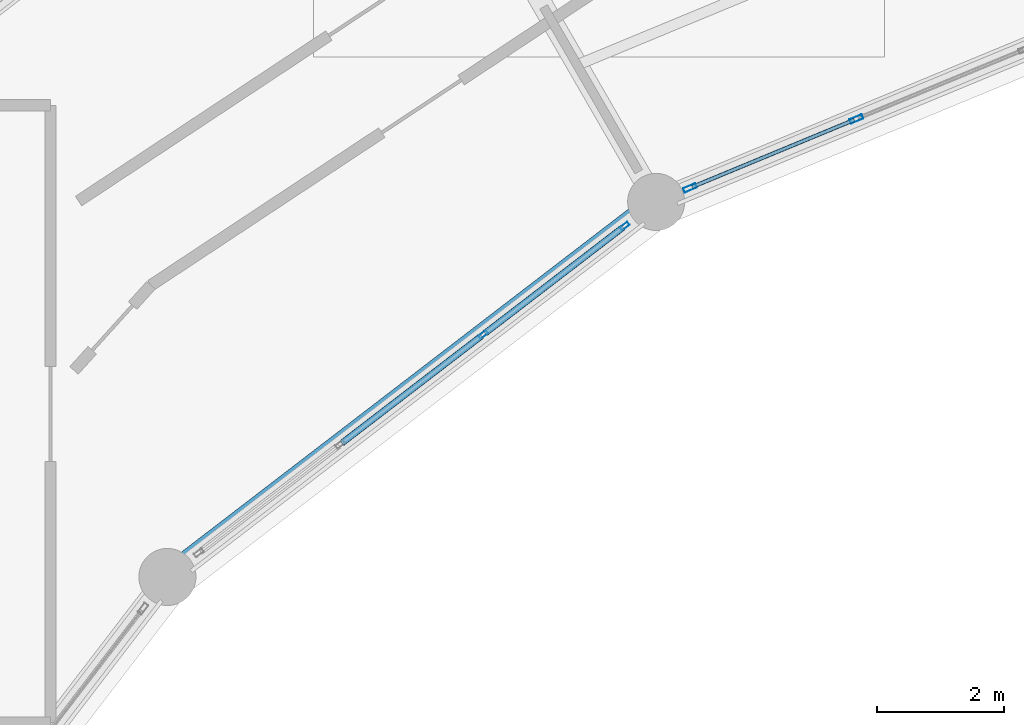
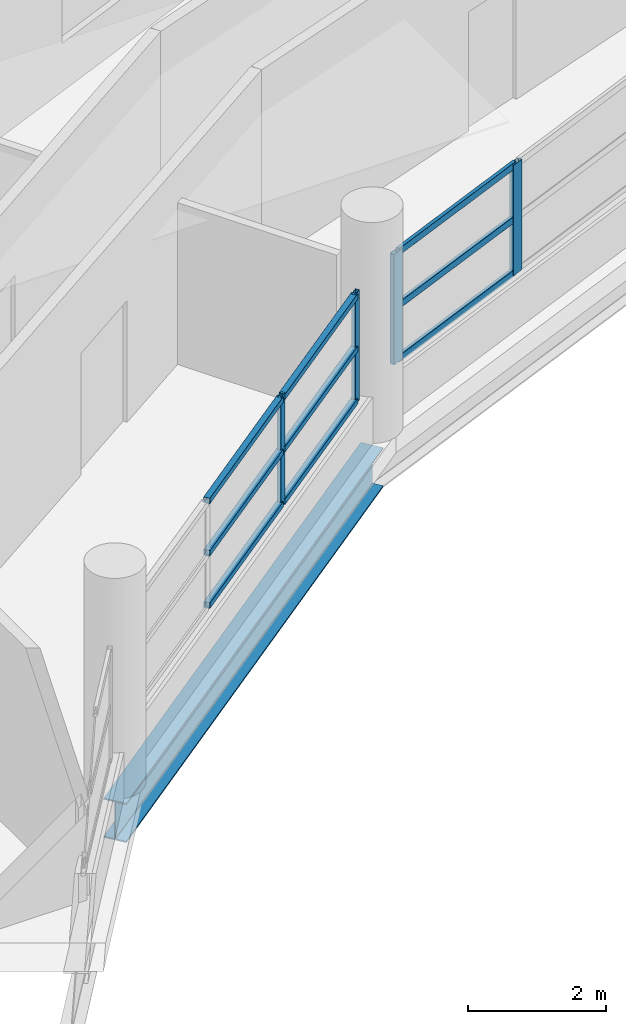
# One storey, part 44 of 121: 13 members, 1 beam, 2 elements without a shape of their own.
"""IFC4 building model written with IfcOpenShell, lengths in metres."""

from ifc_helpers import new_model, si_unit, direction, frame, origin, origin_2d, place, context, subcontext, project, spatial, hollow_rectangle, i_section, extrude, material, layer, layer_set, material_profile, profile_set, type_object, element, aggregate, save


model = new_model("IFC4")

# Units and contexts
model_context = context("Model", 3, precision=1e-05, world=origin(), true_north=direction((0.0, 1.0)))
body_context = subcontext(model_context, "Body", "Model", "MODEL_VIEW")
ifc_project = project(units=[si_unit("LENGTHUNIT", "METRE"), si_unit("AREAUNIT", "SQUARE_METRE"), si_unit("VOLUMEUNIT", "CUBIC_METRE"), si_unit("PLANEANGLEUNIT", "RADIAN"), si_unit("MASSUNIT", "GRAM", prefix="KILO")], contexts=[model_context])

# Site, building, storey
site_placement = place(None, origin())
site = spatial("IfcSite", under=ifc_project, at=site_placement, CompositionType="ELEMENT")
building_placement = place(site_placement, origin())
building = spatial("IfcBuilding", under=site, at=building_placement, Name="Vespera Passage Community Centre", CompositionType="ELEMENT")
storey_placement = place(building_placement, frame((0.0, 0.0, 8.699951171875)))
storey = spatial("IfcBuildingStorey", under=building, at=storey_placement, Name="L02", CompositionType="ELEMENT", Elevation=8.699951171875)

# Beam
ifc_material_1 = material(Name="Steel ASTM A992 Grade 50", Category="steel")
ifc_material_profile_1 = material_profile(ifc_material_1, i_section(OverallWidth=0.3544921875, OverallDepth=0.695556640625, WebThickness=0.015380859375, FlangeThickness=0.024658203125, FilletRadius=0.01513671875, at=origin_2d()), Name="W27X146")
ifc_profile_set_1 = profile_set([ifc_material_profile_1], Name="Steel ASTM A992 Grade 50")
beam_type = type_object("IfcBeamType", Name="BM-SP-W27X146E", PredefinedType="SPANDREL", material=ifc_profile_set_1)
beam_placement = place(storey_placement, frame((59.39990234375, 97.716064453125, -0.687744140625), z_axis=(-0.793359869694, -0.60875291963, 0.0), x_axis=(0.60875291963, -0.793359869694, 0.0)))
element("IfcBeam", 1, at=beam_placement, inside=storey, type_object=beam_type, Name="V4 L02 Inner Spandrel 8", PredefinedType="SPANDREL", context=body_context, shape_type="SweptSolid", body=[
    extrude(i_section(OverallWidth=0.3544921875, OverallDepth=0.695556640625, WebThickness=0.015380859375, FlangeThickness=0.024658203125, FilletRadius=0.01513671875, at=origin_2d()), origin(), (0.0, 0.0, 1.0), 9.7109375),
])

# Curtain wall, members
ifc_material_2 = material(Name="Anodized aluminium 6063-T6", Category="aluminium")
ifc_layer_1 = layer(ifc_material_2, 0.159912109375)
ifc_layer_set_1 = layer_set([ifc_layer_1], Name="Anodized aluminium 6063-T6")
curtain_wall_type_1 = type_object("IfcCurtainWallType", Name="CW-30E", PredefinedType="NOTDEFINED", material=ifc_layer_set_1)
curtain_wall_1_placement = place(storey_placement, origin())
curtain_wall_1 = element("IfcCurtainWall", 2, at=curtain_wall_1_placement, inside=storey, type_object=curtain_wall_type_1, Name="V4 L02 Inner Court Curtain Wall 8", PredefinedType="NOTDEFINED")
ifc_material_3 = material(Name="Anodized aluminium 6063-T6", Category="aluminium")
ifc_material_profile_2 = material_profile(ifc_material_3, hollow_rectangle(XDim=0.06494140625, YDim=0.14990234375, WallThickness=0.00390625, InnerFilletRadius=0.001953125, OuterFilletRadius=0.00390625, at=origin_2d()), Name="ALU150X65X4")
ifc_profile_set_2 = profile_set([ifc_material_profile_2], Name="Anodized aluminium 6063-T6")
member_type_1 = type_object("IfcMemberType", Name="MB-CWM-150E", PredefinedType="MULLION", material=ifc_profile_set_2)
member_1_placement = place(storey_placement, frame((58.903564453125, 97.335205078125, 0.820068359375), z_axis=(0.0, 0.0, 1.0), x_axis=(0.608755087843, -0.793358205999, 0.0)))
member_1 = element("IfcMember", 3, at=member_1_placement, type_object=member_type_1, Name="CW-30E mullion 1", PredefinedType="MULLION", context=body_context, shape_type="SweptSolid", body=[
    extrude(hollow_rectangle(XDim=0.06494140625, YDim=0.14990234375, WallThickness=0.00390625, InnerFilletRadius=0.001953125, OuterFilletRadius=0.00390625, at=origin_2d()), origin(), (0.0, 0.0, 1.0), 1.949462890625),
])
member_2_placement = place(storey_placement, frame((56.675048828125, 95.625244140625, 0.820068359375), z_axis=(0.0, 0.0, 1.0), x_axis=(0.608755087843, -0.793358205999, 0.0)))
member_2 = element("IfcMember", 4, at=member_2_placement, type_object=member_type_1, Name="CW-30E mullion 2", PredefinedType="MULLION", context=body_context, shape_type="SweptSolid", body=[
    extrude(hollow_rectangle(XDim=0.06494140625, YDim=0.14990234375, WallThickness=0.00390625, InnerFilletRadius=0.001953125, OuterFilletRadius=0.00390625, at=origin_2d()), origin(), (0.0, 0.0, 1.0), 1.949462890625),
])

ifc_material_4 = material(Name="Anodized aluminium 6063-T6", Category="aluminium")
ifc_layer_2 = layer(ifc_material_4, 0.159912109375)
ifc_layer_set_2 = layer_set([ifc_layer_2], Name="Anodized aluminium 6063-T6")
curtain_wall_type_2 = type_object("IfcCurtainWallType", Name="CW-25E", PredefinedType="NOTDEFINED", material=ifc_layer_set_2)
curtain_wall_2_placement = place(storey_placement, origin())
curtain_wall_2 = element("IfcCurtainWall", 5, at=curtain_wall_2_placement, inside=storey, type_object=curtain_wall_type_2, Name="V4 L02 Inner Court Curtain Wall 7", PredefinedType="NOTDEFINED")
ifc_material_5 = material(Name="Anodized aluminium 6063-T6", Category="aluminium")
ifc_material_profile_3 = material_profile(ifc_material_5, hollow_rectangle(XDim=0.074951171875, YDim=0.2099609375, WallThickness=0.0048828125, InnerFilletRadius=0.00244140625, OuterFilletRadius=0.0048828125, at=origin_2d()), Name="ALU210X75X5")
ifc_profile_set_3 = profile_set([ifc_material_profile_3], Name="Anodized aluminium 6063-T6")
member_type_2 = type_object("IfcMemberType", Name="MB-CWM-210E", PredefinedType="MULLION", material=ifc_profile_set_3)
member_3_placement = place(storey_placement, frame((62.556884765625, 99.023681640625, 0.820068359375), z_axis=(0.0, 0.0, 1.0), x_axis=(0.382690463482, -0.923876620096, 0.0)))
member_3 = element("IfcMember", 6, at=member_3_placement, type_object=member_type_2, Name="CW-25E mullion 3", PredefinedType="MULLION", context=body_context, shape_type="SweptSolid", body=[
    extrude(hollow_rectangle(XDim=0.074951171875, YDim=0.2099609375, WallThickness=0.0048828125, InnerFilletRadius=0.00244140625, OuterFilletRadius=0.0048828125, at=origin_2d()), origin(), (0.0, 0.0, 1.0), 1.949462890625),
])
member_4_placement = place(storey_placement, frame((59.933349609375, 97.93701171875, 0.820068359375), z_axis=(0.0, 0.0, 1.0), x_axis=(0.382690463482, -0.923876620096, 0.0)))
member_4 = element("IfcMember", 7, at=member_4_placement, type_object=member_type_2, Name="CW-25E mullion 4", PredefinedType="MULLION", context=body_context, shape_type="SweptSolid", body=[
    extrude(hollow_rectangle(XDim=0.074951171875, YDim=0.2099609375, WallThickness=0.0048828125, InnerFilletRadius=0.00244140625, OuterFilletRadius=0.0048828125, at=origin_2d()), origin(), (0.0, 0.0, 1.0), 1.949462890625),
])

# Member
ifc_material_6 = material(Name="Anodized aluminium 6063-T6", Category="aluminium")
ifc_material_profile_4 = material_profile(ifc_material_6, hollow_rectangle(XDim=0.10009765625, YDim=0.10009765625, WallThickness=0.00390625, InnerFilletRadius=0.001953125, OuterFilletRadius=0.00390625, at=origin_2d()), Name="ALU100X100X4")
ifc_profile_set_4 = profile_set([ifc_material_profile_4], Name="Anodized aluminium 6063-T6")
member_type_3 = type_object("IfcMemberType", Name="MB-CWT-100E", PredefinedType="USERDEFINED", material=ifc_profile_set_4)
member_5_placement = place(storey_placement, frame((58.8779296875, 97.3154296875, 0.8701171875), z_axis=(-0.793397254086, -0.608704195162, 0.0), x_axis=(0.608704195162, -0.793397254086, 0.0)))
member_5 = element("IfcMember", 8, at=member_5_placement, type_object=member_type_3, Name="CW-30E transom 1.1", ObjectType="TRANSOM", PredefinedType="USERDEFINED", context=body_context, shape_type="SweptSolid", body=[
    extrude(hollow_rectangle(XDim=0.10009765625, YDim=0.10009765625, WallThickness=0.00390625, InnerFilletRadius=0.001953125, OuterFilletRadius=0.00390625, at=origin_2d()), origin(), (0.0, 0.0, 1.0), 2.744140625),
])

member_6_placement = place(storey_placement, frame((58.8779296875, 97.3154296875, 1.794677734375), z_axis=(-0.793397254086, -0.608704195162, 0.0), x_axis=(0.608704195162, -0.793397254086, 0.0)))
member_6 = element("IfcMember", 9, at=member_6_placement, type_object=member_type_3, Name="CW-30E transom 1.2", ObjectType="TRANSOM", PredefinedType="USERDEFINED", context=body_context, shape_type="SweptSolid", body=[
    extrude(hollow_rectangle(XDim=0.10009765625, YDim=0.10009765625, WallThickness=0.00390625, InnerFilletRadius=0.001953125, OuterFilletRadius=0.00390625, at=origin_2d()), origin(), (0.0, 0.0, 1.0), 2.744140625),
])

member_7_placement = place(storey_placement, frame((58.8779296875, 97.3154296875, 2.719482421875), z_axis=(-0.793397254086, -0.608704195162, 0.0), x_axis=(0.608704195162, -0.793397254086, 0.0)))
member_7 = element("IfcMember", 10, at=member_7_placement, type_object=member_type_3, Name="CW-30E transom 1.3", ObjectType="TRANSOM", PredefinedType="USERDEFINED", context=body_context, shape_type="SweptSolid", body=[
    extrude(hollow_rectangle(XDim=0.10009765625, YDim=0.10009765625, WallThickness=0.00390625, InnerFilletRadius=0.001953125, OuterFilletRadius=0.00390625, at=origin_2d()), origin(), (0.0, 0.0, 1.0), 2.744140625),
])

member_8_placement = place(storey_placement, frame((56.649169921875, 95.60546875, 0.8701171875), z_axis=(-0.793335989748, -0.60878404001, 0.0), x_axis=(0.60878404001, -0.793335989748, 0.0)))
member_8 = element("IfcMember", 11, at=member_8_placement, type_object=member_type_3, Name="CW-30E transom 2.1", ObjectType="TRANSOM", PredefinedType="USERDEFINED", context=body_context, shape_type="SweptSolid", body=[
    extrude(hollow_rectangle(XDim=0.10009765625, YDim=0.10009765625, WallThickness=0.00390625, InnerFilletRadius=0.001953125, OuterFilletRadius=0.00390625, at=origin_2d()), origin(), (0.0, 0.0, 1.0), 2.776611328125),
])

member_9_placement = place(storey_placement, frame((56.649169921875, 95.60546875, 1.794677734375), z_axis=(-0.793335989748, -0.60878404001, 0.0), x_axis=(0.60878404001, -0.793335989748, 0.0)))
member_9 = element("IfcMember", 12, at=member_9_placement, type_object=member_type_3, Name="CW-30E transom 2.2", ObjectType="TRANSOM", PredefinedType="USERDEFINED", context=body_context, shape_type="SweptSolid", body=[
    extrude(hollow_rectangle(XDim=0.10009765625, YDim=0.10009765625, WallThickness=0.00390625, InnerFilletRadius=0.001953125, OuterFilletRadius=0.00390625, at=origin_2d()), origin(), (0.0, 0.0, 1.0), 2.776611328125),
])

member_10_placement = place(storey_placement, frame((56.649169921875, 95.60546875, 2.719482421875), z_axis=(-0.793335989748, -0.60878404001, 0.0), x_axis=(0.60878404001, -0.793335989748, 0.0)))
member_10 = element("IfcMember", 13, at=member_10_placement, type_object=member_type_3, Name="CW-30E transom 2.3", ObjectType="TRANSOM", PredefinedType="USERDEFINED", context=body_context, shape_type="SweptSolid", body=[
    extrude(hollow_rectangle(XDim=0.10009765625, YDim=0.10009765625, WallThickness=0.00390625, InnerFilletRadius=0.001953125, OuterFilletRadius=0.00390625, at=origin_2d()), origin(), (0.0, 0.0, 1.0), 2.776611328125),
])

aggregate(curtain_wall_1, [member_1, member_2, member_5, member_6, member_7, member_8, member_9, member_10])

ifc_material_7 = material(Name="Anodized aluminium 6063-T6", Category="aluminium")
ifc_material_profile_5 = material_profile(ifc_material_7, hollow_rectangle(XDim=0.06005859375, YDim=0.1201171875, WallThickness=0.00390625, InnerFilletRadius=0.001953125, OuterFilletRadius=0.00390625, at=origin_2d()), Name="ALU120X60X4")
ifc_profile_set_5 = profile_set([ifc_material_profile_5], Name="Anodized aluminium 6063-T6")
member_type_4 = type_object("IfcMemberType", Name="MB-CWT-120E", PredefinedType="USERDEFINED", material=ifc_profile_set_5)
member_11_placement = place(storey_placement, frame((62.522216796875, 99.00927734375, 0.85009765625), z_axis=(-0.923908142805, -0.382614353701, 0.0), x_axis=(0.382614353701, -0.923908142805, 0.0)))
member_11 = element("IfcMember", 14, at=member_11_placement, type_object=member_type_4, Name="CW-25E transom 3.1", ObjectType="TRANSOM", PredefinedType="USERDEFINED", context=body_context, shape_type="SweptSolid", body=[
    extrude(hollow_rectangle(XDim=0.06005859375, YDim=0.1201171875, WallThickness=0.00390625, InnerFilletRadius=0.001953125, OuterFilletRadius=0.00390625, at=origin_2d()), origin(), (0.0, 0.0, 1.0), 2.764892578125),
])

member_12_placement = place(storey_placement, frame((62.522216796875, 99.00927734375, 1.794677734375), z_axis=(-0.923908142805, -0.382614353701, 0.0), x_axis=(0.382614353701, -0.923908142805, 0.0)))
member_12 = element("IfcMember", 15, at=member_12_placement, type_object=member_type_4, Name="CW-25E transom 3.2", ObjectType="TRANSOM", PredefinedType="USERDEFINED", context=body_context, shape_type="SweptSolid", body=[
    extrude(hollow_rectangle(XDim=0.06005859375, YDim=0.1201171875, WallThickness=0.00390625, InnerFilletRadius=0.001953125, OuterFilletRadius=0.00390625, at=origin_2d()), origin(), (0.0, 0.0, 1.0), 2.764892578125),
])

member_13_placement = place(storey_placement, frame((62.522216796875, 99.00927734375, 2.739501953125), z_axis=(-0.923908142805, -0.382614353701, 0.0), x_axis=(0.382614353701, -0.923908142805, 0.0)))
member_13 = element("IfcMember", 16, at=member_13_placement, type_object=member_type_4, Name="CW-25E transom 3.3", ObjectType="TRANSOM", PredefinedType="USERDEFINED", context=body_context, shape_type="SweptSolid", body=[
    extrude(hollow_rectangle(XDim=0.06005859375, YDim=0.1201171875, WallThickness=0.00390625, InnerFilletRadius=0.001953125, OuterFilletRadius=0.00390625, at=origin_2d()), origin(), (0.0, 0.0, 1.0), 2.764892578125),
])

aggregate(curtain_wall_2, [member_3, member_4, member_11, member_12, member_13])

save(model, "model.ifc")
